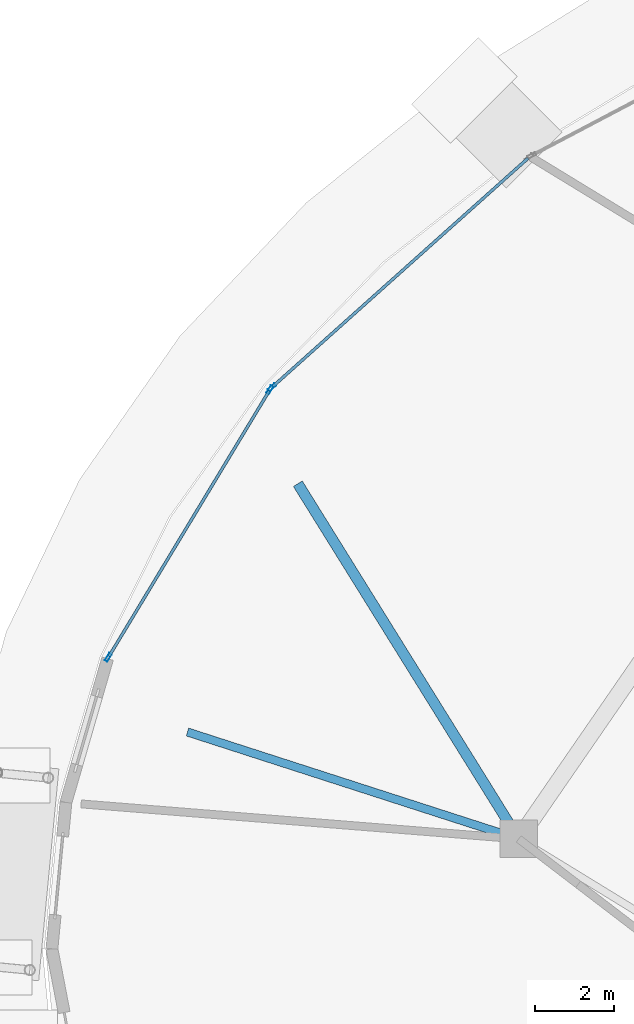
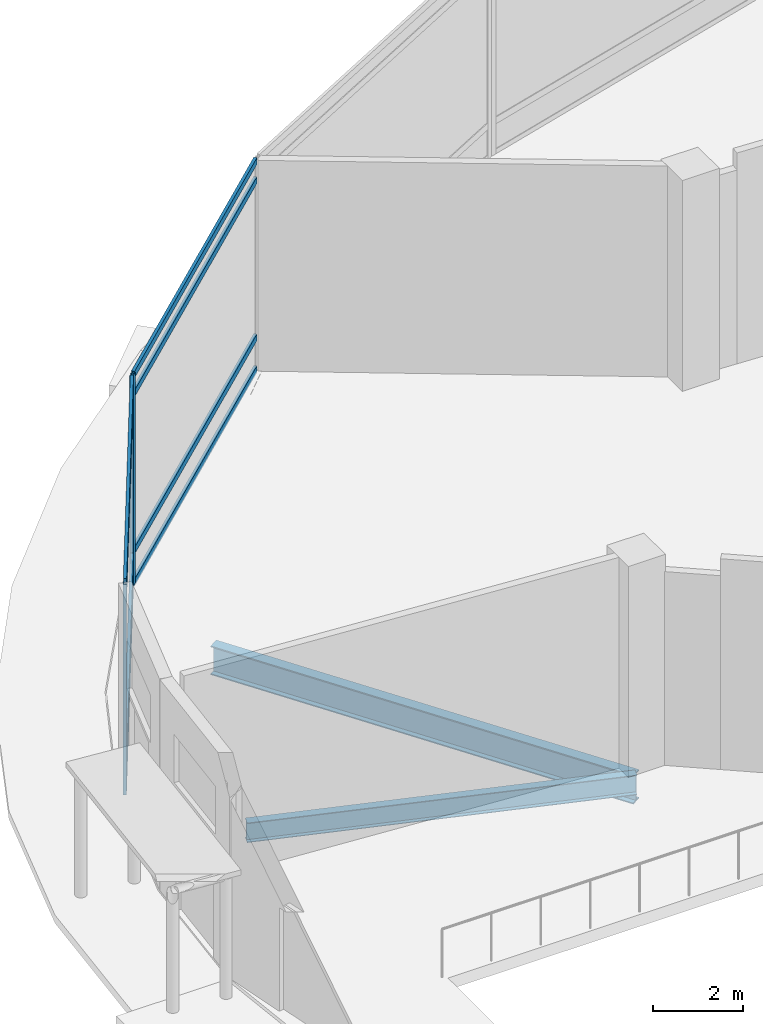
# One storey, part 16 of 40: 11 members, 2 beams, 2 elements without a shape of their own.
"""IFC4 building model written with IfcOpenShell, lengths in metres."""

from ifc_helpers import new_model, si_unit, direction, frame, origin, origin_2d, place, context, subcontext, project, spatial, hollow_rectangle, i_section, extrude, material, layer, layer_set, material_profile, profile_set, type_object, element, aggregate, save


model = new_model("IFC4")

# Units and contexts
model_context = context("Model", 3, precision=1e-05, world=origin(), true_north=direction((0.0, 1.0)))
body_context = subcontext(model_context, "Body", "Model", "MODEL_VIEW")
ifc_project = project(units=[si_unit("LENGTHUNIT", "METRE"), si_unit("AREAUNIT", "SQUARE_METRE"), si_unit("VOLUMEUNIT", "CUBIC_METRE"), si_unit("PLANEANGLEUNIT", "RADIAN"), si_unit("MASSUNIT", "GRAM", prefix="KILO")], contexts=[model_context])

# Site, building, storey
site_placement = place(None, origin())
site = spatial("IfcSite", under=ifc_project, at=site_placement, CompositionType="ELEMENT")
building_placement = place(site_placement, origin())
building = spatial("IfcBuilding", under=site, at=building_placement, Name="Nuhasar Tower", CompositionType="ELEMENT")
storey_placement = place(building_placement, origin())
storey = spatial("IfcBuildingStorey", under=building, at=storey_placement, Name="L00", CompositionType="ELEMENT", Elevation=0.0)

# Beams
ifc_material_1 = material(Name="Steel S355", Category="steel")
ifc_material_profile_1 = material_profile(ifc_material_1, i_section(OverallWidth=0.208984375, OverallDepth=0.532958984375, WebThickness=0.01025390625, FlangeThickness=0.015625, at=origin_2d()), Name="W21X62")
ifc_profile_set_1 = profile_set([ifc_material_profile_1], Name="Steel S355")
beam_type_1 = type_object("IfcBeamType", Name="BM-RAD-W21X62", PredefinedType="BEAM", material=ifc_profile_set_1)
beam_1_placement = place(storey_placement, frame((9.405029296875, 29.5869140625, -0.5869140625), z_axis=(-0.951647895108, 0.307190956468, 0.0), x_axis=(-0.307190956468, -0.951647895108, 0.0)))
element("IfcBeam", 1, at=beam_1_placement, inside=storey, type_object=beam_type_1, Name="L00 Substructure Cap Tie Girder 10", PredefinedType="BEAM", context=body_context, shape_type="SweptSolid", body=[
    extrude(i_section(OverallWidth=0.208984375, OverallDepth=0.532958984375, WebThickness=0.01025390625, FlangeThickness=0.015625, at=origin_2d()), origin(), (0.0, 0.0, 1.0), 8.83203125),
])
ifc_material_profile_2 = material_profile(ifc_material_1, i_section(OverallWidth=0.26611328125, OverallDepth=0.779052734375, WebThickness=0.0166015625, FlangeThickness=0.030029296875, at=origin_2d()), Name="W30X148")
ifc_profile_set_2 = profile_set([ifc_material_profile_2], Name="Steel S355")
beam_type_2 = type_object("IfcBeamType", Name="BM-RAD-W30X148", PredefinedType="BEAM", material=ifc_profile_set_2)
beam_2_placement = place(storey_placement, frame((9.405029296875, 29.5869140625, -0.7099609375), z_axis=(-0.528082984569, 0.849192770464, 0.0), x_axis=(-0.849192770464, -0.528082984569, 0.0)))
element("IfcBeam", 2, at=beam_2_placement, inside=storey, type_object=beam_type_2, Name="L00 Substructure Cap Tie Girder 11", PredefinedType="BEAM", context=body_context, shape_type="SweptSolid", body=[
    extrude(i_section(OverallWidth=0.26611328125, OverallDepth=0.779052734375, WebThickness=0.0166015625, FlangeThickness=0.030029296875, at=origin_2d()), origin(), (0.0, 0.0, 1.0), 10.61376953125),
])

# Curtain wall, member
ifc_material_2 = material(Name="Aluminium 6063-T6", Category="aluminium")
ifc_layer = layer(ifc_material_2, 0.219970703125)
ifc_layer_set = layer_set([ifc_layer], Name="Aluminium 6063-T6")
curtain_wall_type = type_object("IfcCurtainWallType", Name="CW-PODIUM", PredefinedType="NOTDEFINED", material=ifc_layer_set)
curtain_wall_1_placement = place(storey_placement, origin())
curtain_wall_1 = element("IfcCurtainWall", 3, at=curtain_wall_1_placement, inside=storey, type_object=curtain_wall_type, Name="L00 Podium Curtain Wall Bay 10", PredefinedType="NOTDEFINED")
ifc_material_profile_3 = material_profile(ifc_material_2, hollow_rectangle(XDim=0.074951171875, YDim=0.219970703125, WallThickness=0.0048828125, at=origin_2d()), Name="CWM-1")
ifc_profile_set_3 = profile_set([ifc_material_profile_3], Name="Aluminium 6063-T6")
member_type_1 = type_object("IfcMemberType", Name="CW-MUL-S1", PredefinedType="MULLION", material=ifc_profile_set_3)
member_1_placement = place(storey_placement, frame((3.139892578125, 41.044921875, 0.0), z_axis=(0.0, 0.0, 1.0), x_axis=(0.666679051092, -0.745344915348, 0.0)))
member_1 = element("IfcMember", 4, at=member_1_placement, type_object=member_type_1, Name="CW-P1 mullion 2", PredefinedType="MULLION", context=body_context, shape_type="SweptSolid", body=[
    extrude(hollow_rectangle(XDim=0.074951171875, YDim=0.219970703125, WallThickness=0.0048828125, at=origin_2d()), origin(), (0.0, 0.0, 1.0), 5.699951171875),
])

# Curtain wall, members
curtain_wall_2_placement = place(storey_placement, origin())
curtain_wall_2 = element("IfcCurtainWall", 5, at=curtain_wall_2_placement, inside=storey, type_object=curtain_wall_type, Name="L00 Podium Curtain Wall Bay 11", PredefinedType="NOTDEFINED")
member_2_placement = place(storey_placement, frame((3.092529296875, 40.98779296875, 0.0), z_axis=(0.0, 0.0, 1.0), x_axis=(0.856135297317, -0.516751732158, 0.0)))
member_2 = element("IfcMember", 6, at=member_2_placement, type_object=member_type_1, Name="CW-P1 mullion 1", PredefinedType="MULLION", context=body_context, shape_type="SweptSolid", body=[
    extrude(hollow_rectangle(XDim=0.074951171875, YDim=0.219970703125, WallThickness=0.0048828125, at=origin_2d()), origin(), (0.0, 0.0, 1.0), 5.699951171875),
])
member_3_placement = place(storey_placement, frame((-1.008544921875, 34.193115234375, 0.0), z_axis=(0.0, 0.0, 1.0), x_axis=(0.856135297317, -0.516751732158, 0.0)))
member_3 = element("IfcMember", 7, at=member_3_placement, type_object=member_type_1, Name="CW-P1 mullion 2", PredefinedType="MULLION", context=body_context, shape_type="SweptSolid", body=[
    extrude(hollow_rectangle(XDim=0.074951171875, YDim=0.219970703125, WallThickness=0.0048828125, at=origin_2d()), origin(), (0.0, 0.0, 1.0), 5.699951171875),
])

# Member
ifc_material_profile_4 = material_profile(ifc_material_2, hollow_rectangle(XDim=0.074951171875, YDim=0.179931640625, WallThickness=0.00439453125, at=origin_2d()), Name="CWT-1")
ifc_profile_set_4 = profile_set([ifc_material_profile_4], Name="Aluminium 6063-T6")
member_type_2 = type_object("IfcMemberType", Name="CW-TRN-S1", PredefinedType="USERDEFINED", material=ifc_profile_set_4)
member_4_placement = place(storey_placement, frame((9.64111328125, 46.860107421875, 0.03759765625), z_axis=(-0.745339824264, -0.666684742862, 0.0), x_axis=(0.666684742862, -0.745339824264, 0.0)))
member_4 = element("IfcMember", 8, at=member_4_placement, type_object=member_type_2, Name="CW-P1 transom 1.1", ObjectType="TRANSOM", PredefinedType="USERDEFINED", context=body_context, shape_type="SweptSolid", body=[
    extrude(hollow_rectangle(XDim=0.074951171875, YDim=0.179931640625, WallThickness=0.00439453125, at=origin_2d()), origin(), (0.0, 0.0, 1.0), 8.684814453125),
])

member_5_placement = place(storey_placement, frame((9.64111328125, 46.860107421875, 0.89990234375), z_axis=(-0.745339824264, -0.666684742862, 0.0), x_axis=(0.666684742862, -0.745339824264, 0.0)))
member_5 = element("IfcMember", 9, at=member_5_placement, type_object=member_type_2, Name="CW-P1 transom 1.2", ObjectType="TRANSOM", PredefinedType="USERDEFINED", context=body_context, shape_type="SweptSolid", body=[
    extrude(hollow_rectangle(XDim=0.074951171875, YDim=0.179931640625, WallThickness=0.00439453125, at=origin_2d()), origin(), (0.0, 0.0, 1.0), 8.684814453125),
])

member_6_placement = place(storey_placement, frame((9.64111328125, 46.860107421875, 5.14990234375), z_axis=(-0.745339824264, -0.666684742862, 0.0), x_axis=(0.666684742862, -0.745339824264, 0.0)))
member_6 = element("IfcMember", 10, at=member_6_placement, type_object=member_type_2, Name="CW-P1 transom 1.3", ObjectType="TRANSOM", PredefinedType="USERDEFINED", context=body_context, shape_type="SweptSolid", body=[
    extrude(hollow_rectangle(XDim=0.074951171875, YDim=0.179931640625, WallThickness=0.00439453125, at=origin_2d()), origin(), (0.0, 0.0, 1.0), 8.684814453125),
])

member_7_placement = place(storey_placement, frame((9.64111328125, 46.860107421875, 5.66259765625), z_axis=(-0.745339824264, -0.666684742862, 0.0), x_axis=(0.666684742862, -0.745339824264, 0.0)))
member_7 = element("IfcMember", 11, at=member_7_placement, type_object=member_type_2, Name="CW-P1 transom 1.4", ObjectType="TRANSOM", PredefinedType="USERDEFINED", context=body_context, shape_type="SweptSolid", body=[
    extrude(hollow_rectangle(XDim=0.074951171875, YDim=0.179931640625, WallThickness=0.00439453125, at=origin_2d()), origin(), (0.0, 0.0, 1.0), 8.684814453125),
])

aggregate(curtain_wall_1, [member_1, member_4, member_5, member_6, member_7])

member_8_placement = place(storey_placement, frame((3.0732421875, 40.955810546875, 0.03759765625), z_axis=(-0.516745426916, -0.856139103044, 0.0), x_axis=(0.856139103044, -0.516745426916, 0.0)))
member_8 = element("IfcMember", 12, at=member_8_placement, type_object=member_type_2, Name="CW-P1 transom 1.1", ObjectType="TRANSOM", PredefinedType="USERDEFINED", context=body_context, shape_type="SweptSolid", body=[
    extrude(hollow_rectangle(XDim=0.074951171875, YDim=0.179931640625, WallThickness=0.00439453125, at=origin_2d()), origin(), (0.0, 0.0, 1.0), 7.86181640625),
])

member_9_placement = place(storey_placement, frame((3.0732421875, 40.955810546875, 0.89990234375), z_axis=(-0.516745426916, -0.856139103044, 0.0), x_axis=(0.856139103044, -0.516745426916, 0.0)))
member_9 = element("IfcMember", 13, at=member_9_placement, type_object=member_type_2, Name="CW-P1 transom 1.2", ObjectType="TRANSOM", PredefinedType="USERDEFINED", context=body_context, shape_type="SweptSolid", body=[
    extrude(hollow_rectangle(XDim=0.074951171875, YDim=0.179931640625, WallThickness=0.00439453125, at=origin_2d()), origin(), (0.0, 0.0, 1.0), 7.86181640625),
])

member_10_placement = place(storey_placement, frame((3.0732421875, 40.955810546875, 5.14990234375), z_axis=(-0.516745426916, -0.856139103044, 0.0), x_axis=(0.856139103044, -0.516745426916, 0.0)))
member_10 = element("IfcMember", 14, at=member_10_placement, type_object=member_type_2, Name="CW-P1 transom 1.3", ObjectType="TRANSOM", PredefinedType="USERDEFINED", context=body_context, shape_type="SweptSolid", body=[
    extrude(hollow_rectangle(XDim=0.074951171875, YDim=0.179931640625, WallThickness=0.00439453125, at=origin_2d()), origin(), (0.0, 0.0, 1.0), 7.86181640625),
])

member_11_placement = place(storey_placement, frame((3.0732421875, 40.955810546875, 5.66259765625), z_axis=(-0.516745426916, -0.856139103044, 0.0), x_axis=(0.856139103044, -0.516745426916, 0.0)))
member_11 = element("IfcMember", 15, at=member_11_placement, type_object=member_type_2, Name="CW-P1 transom 1.4", ObjectType="TRANSOM", PredefinedType="USERDEFINED", context=body_context, shape_type="SweptSolid", body=[
    extrude(hollow_rectangle(XDim=0.074951171875, YDim=0.179931640625, WallThickness=0.00439453125, at=origin_2d()), origin(), (0.0, 0.0, 1.0), 7.86181640625),
])

aggregate(curtain_wall_2, [member_2, member_3, member_8, member_9, member_10, member_11])

save(model, "model.ifc")
